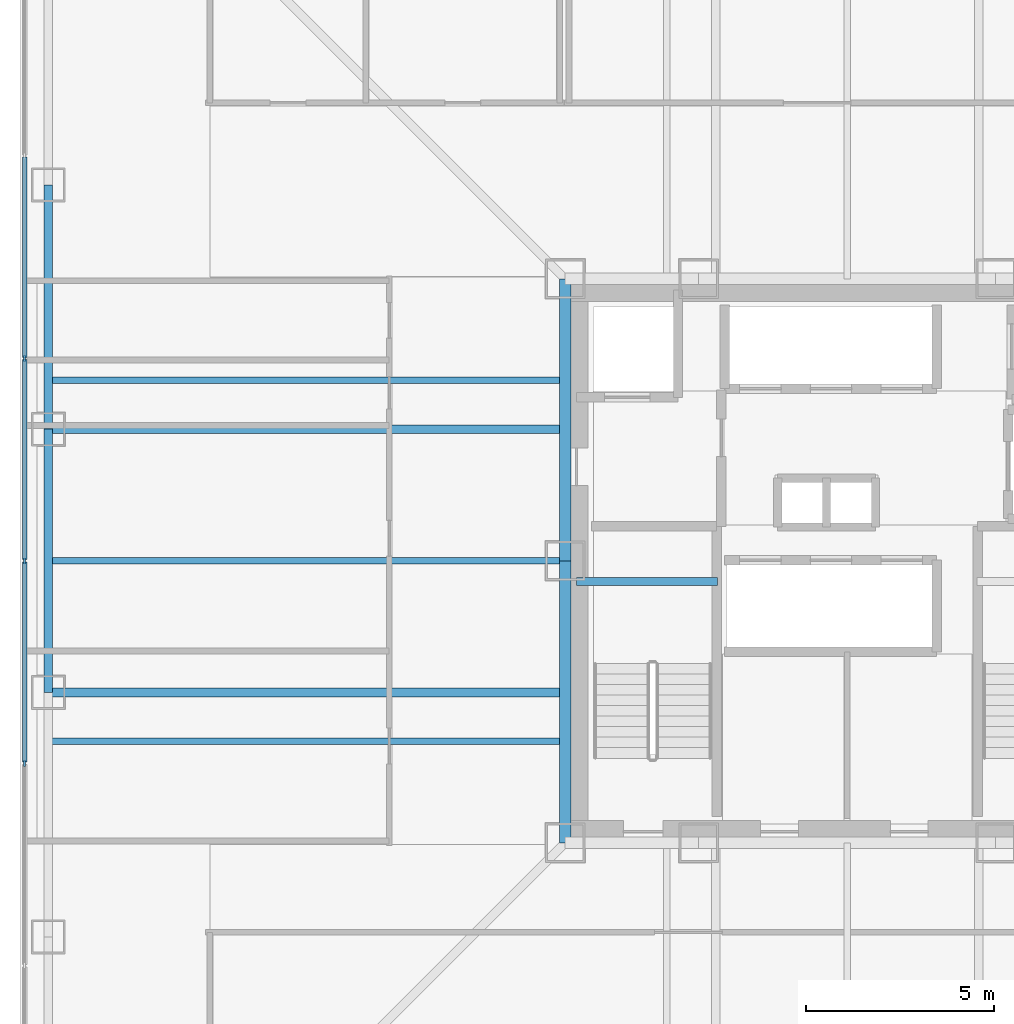
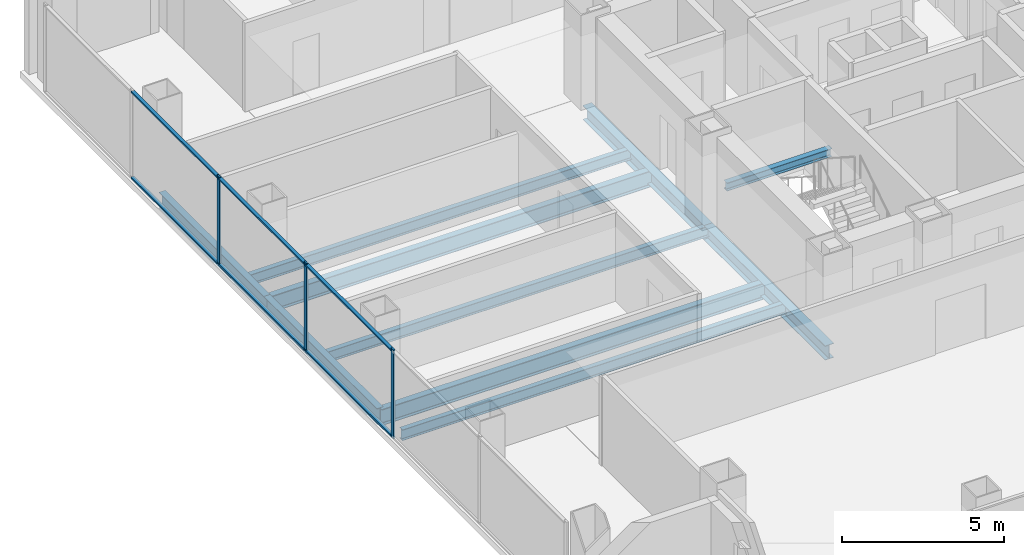
# One storey, part 4 of 14: 10 beams, 9 members, 1 element without a shape of its own.
"""IFC4 building model written with IfcOpenShell, lengths in metres."""

from ifc_helpers import new_model, si_unit, direction, frame, origin, origin_2d, place, context, subcontext, project, spatial, rectangle, i_section, extrude, material, layer, layer_set, material_profile, profile_set, type_object, element, aggregate, save


model = new_model("IFC4")

# Units and contexts
model_context = context("Model", 3, precision=1e-05, world=origin(), true_north=direction((0.0, 1.0)))
body_context = subcontext(model_context, "Body", "Model", "MODEL_VIEW")
ifc_project = project(units=[si_unit("LENGTHUNIT", "METRE"), si_unit("AREAUNIT", "SQUARE_METRE"), si_unit("VOLUMEUNIT", "CUBIC_METRE"), si_unit("PLANEANGLEUNIT", "RADIAN"), si_unit("MASSUNIT", "GRAM", prefix="KILO")], contexts=[model_context])

# Site, building, storey
site_placement = place(None, origin())
site = spatial("IfcSite", under=ifc_project, at=site_placement, CompositionType="ELEMENT")
building_placement = place(site_placement, origin())
building = spatial("IfcBuilding", under=site, at=building_placement, Name="Trevonay Congress Spire", CompositionType="ELEMENT")
storey_placement = place(building_placement, frame((0.0, 0.0, 140.800048828125)))
storey = spatial("IfcBuildingStorey", under=building, at=storey_placement, Name="L36", CompositionType="ELEMENT", Elevation=140.800048828125)

# Beams
ifc_material_1 = material(Name="Steel ASTM A572 Grade 50", Category="steel")
ifc_material_profile_1 = material_profile(ifc_material_1, i_section(OverallWidth=0.31201171875, OverallDepth=0.54296875, WebThickness=0.0126953125, FlangeThickness=0.020263671875, FilletRadius=0.014892578125, at=origin_2d()), Name="W530x150")
ifc_profile_set_1 = profile_set([ifc_material_profile_1], Name="Steel ASTM A572 Grade 50")
beam_type_1 = type_object("IfcBeamType", Name="BM-GIRD-W530X150", PredefinedType="BEAM", material=ifc_profile_set_1)
for number, where, z_axis, x_axis, name in (
    (1, (-7.5, -7.5, -0.511474609375), (0.0, 1.0, 0.0), (-1.0, 0.0, 0.0), "L36 structural beam BM-L36-CR-W1"),
    (2, (-7.5, 0.0, -0.511474609375), (0.0, 1.0, 0.0), (-1.0, 0.0, 0.0), "L36 structural beam BM-L36-CR-W2"),
):
    element("IfcBeam", number, at=place(storey_placement, frame(where, z_axis=z_axis, x_axis=x_axis)), inside=storey, type_object=beam_type_1, Name=name, PredefinedType="BEAM", context=body_context, shape_type="SweptSolid", body=[
        extrude(i_section(OverallWidth=0.31201171875, OverallDepth=0.54296875, WebThickness=0.0126953125, FlangeThickness=0.020263671875, FilletRadius=0.014892578125, at=origin_2d()), origin(), (0.0, 0.0, 1.0), 7.5),
    ])
ifc_material_profile_2 = material_profile(ifc_material_1, i_section(OverallWidth=0.22998046875, OverallDepth=0.616943359375, WebThickness=0.01318359375, FlangeThickness=0.022216796875, FilletRadius=0.01611328125, at=origin_2d()), Name="W610x140")
ifc_profile_set_2 = profile_set([ifc_material_profile_2], Name="Steel ASTM A572 Grade 50")
beam_type_2 = type_object("IfcBeamType", Name="BM-GIRD-W610X140", PredefinedType="BEAM", material=ifc_profile_set_2)
for number, where, z_axis, x_axis, name in (
    (3, (-7.5, -3.5, -0.548583984375), (-1.0, 0.0, 0.0), (0.0, -1.0, 0.0), "L36 structural beam BM-L36-GW-M"),
    (4, (-7.5, 3.5, -0.548583984375), (-1.0, 0.0, 0.0), (0.0, -1.0, 0.0), "L36 structural beam BM-L36-GW-P"),
):
    element("IfcBeam", number, at=place(storey_placement, frame(where, z_axis=z_axis, x_axis=x_axis)), inside=storey, type_object=beam_type_2, Name=name, PredefinedType="BEAM", context=body_context, shape_type="SweptSolid", body=[
        extrude(i_section(OverallWidth=0.22998046875, OverallDepth=0.616943359375, WebThickness=0.01318359375, FlangeThickness=0.022216796875, FilletRadius=0.01611328125, at=origin_2d()), origin(), (0.0, 0.0, 1.0), 13.75),
    ])
ifc_material_profile_3 = material_profile(ifc_material_1, i_section(OverallWidth=0.22802734375, OverallDepth=0.60791015625, WebThickness=0.01123046875, FlangeThickness=0.017333984375, FilletRadius=0.01611328125, at=origin_2d()), Name="W610x113")
ifc_profile_set_3 = profile_set([ifc_material_profile_3], Name="Steel ASTM A572 Grade 50")
beam_type_3 = type_object("IfcBeamType", Name="BM-RING-W610X113", PredefinedType="BEAM", material=ifc_profile_set_3)
beam_1_placement = place(storey_placement, frame((-21.25, -3.5, -0.5439453125), z_axis=(0.0, 1.0, 0.0), x_axis=(-1.0, 0.0, 0.0)))
element("IfcBeam", 5, at=beam_1_placement, inside=storey, type_object=beam_type_3, Name="L36 structural beam BM-L36-PW3", PredefinedType="BEAM", context=body_context, shape_type="SweptSolid", body=[
    extrude(i_section(OverallWidth=0.22802734375, OverallDepth=0.60791015625, WebThickness=0.01123046875, FlangeThickness=0.017333984375, FilletRadius=0.01611328125, at=origin_2d()), origin(), (0.0, 0.0, 1.0), 7.0),
])
beam_2_placement = place(storey_placement, frame((-21.25, 3.5, -0.5439453125), z_axis=(0.0, 1.0, 0.0), x_axis=(-1.0, 0.0, 0.0)))
element("IfcBeam", 6, at=beam_2_placement, inside=storey, type_object=beam_type_3, Name="L36 structural beam BM-L36-PW4", PredefinedType="BEAM", context=body_context, shape_type="SweptSolid", body=[
    extrude(i_section(OverallWidth=0.22802734375, OverallDepth=0.60791015625, WebThickness=0.01123046875, FlangeThickness=0.017333984375, FilletRadius=0.01611328125, at=origin_2d()), origin(), (0.0, 0.0, 1.0), 6.5),
])

# Curtain wall, members
ifc_material_2 = material(Name="Pale Anodised Aluminium EN AW-6063-T6", Category="aluminium")
ifc_layer = layer(ifc_material_2, 0.175048828125, Name="Pale Anodised Aluminium EN AW-6063-T6")
ifc_layer_set = layer_set([ifc_layer], Name="Pale Anodised Aluminium EN AW-6063-T6")
curtain_wall_type = type_object("IfcCurtainWallType", Name="CW-SYS03-CONGRESS-PALE-METAL", PredefinedType="NOTDEFINED", material=ifc_layer_set)
curtain_wall_placement = place(storey_placement, origin())
curtain_wall = element("IfcCurtainWall", 7, at=curtain_wall_placement, inside=storey, type_object=curtain_wall_type, Name="L36 W unitised curtain wall", PredefinedType="NOTDEFINED")
ifc_material_profile_4 = material_profile(ifc_material_2, rectangle(XDim=0.06005859375, YDim=0.159912109375, at=origin_2d()), Name="CW-MULLION-160-ALUMINIUM")
ifc_profile_set_4 = profile_set([ifc_material_profile_4], Name="Pale Anodised Aluminium EN AW-6063-T6")
member_type_1 = type_object("IfcMemberType", Name="CW-MULLION-160-ALUMINIUM", PredefinedType="MULLION", material=ifc_profile_set_4)
member_1_placement = place(storey_placement, frame((-21.8798828125, -5.38330078125, 0.0), z_axis=(0.0, 0.0, 1.0), x_axis=(-1.0, 0.0, 0.0)))
member_1 = element("IfcMember", 8, at=member_1_placement, type_object=member_type_1, Name="CW03 mullion 3", PredefinedType="MULLION", context=body_context, shape_type="SweptSolid", body=[
    extrude(rectangle(XDim=0.06005859375, YDim=0.159912109375, at=origin_2d()), origin(), (0.0, 0.0, 1.0), 3.35986328125),
])
member_2_placement = place(storey_placement, frame((-21.8798828125, 0.0, 0.0), z_axis=(0.0, 0.0, 1.0), x_axis=(-1.0, 0.0, 0.0)))
member_2 = element("IfcMember", 9, at=member_2_placement, type_object=member_type_1, Name="CW03 mullion 4", PredefinedType="MULLION", context=body_context, shape_type="SweptSolid", body=[
    extrude(rectangle(XDim=0.06005859375, YDim=0.159912109375, at=origin_2d()), origin(), (0.0, 0.0, 1.0), 3.35986328125),
])
member_3_placement = place(storey_placement, frame((-21.8798828125, 5.38330078125, 0.0), z_axis=(0.0, 0.0, 1.0), x_axis=(-1.0, 0.0, 0.0)))
member_3 = element("IfcMember", 10, at=member_3_placement, type_object=member_type_1, Name="CW03 mullion 5", PredefinedType="MULLION", context=body_context, shape_type="SweptSolid", body=[
    extrude(rectangle(XDim=0.06005859375, YDim=0.159912109375, at=origin_2d()), origin(), (0.0, 0.0, 1.0), 3.35986328125),
])
ifc_material_profile_5 = material_profile(ifc_material_2, rectangle(XDim=0.1201171875, YDim=0.06005859375, at=origin_2d()), Name="CW-TRANSOM-120-ALUMINIUM")
ifc_profile_set_5 = profile_set([ifc_material_profile_5], Name="Pale Anodised Aluminium EN AW-6063-T6")
member_type_2 = type_object("IfcMemberType", Name="CW-TRANSOM-120-ALUMINIUM", PredefinedType="USERDEFINED", material=ifc_profile_set_5)
member_4_placement = place(storey_placement, frame((-21.8798828125, -5.353271484375, 0.06005859375), z_axis=(0.0, 1.0, 0.0), x_axis=(-1.0, 0.0, 0.0)))
member_4 = element("IfcMember", 11, at=member_4_placement, type_object=member_type_2, Name="CW03 transom 3.1", ObjectType="TRANSOM", PredefinedType="USERDEFINED", context=body_context, shape_type="SweptSolid", body=[
    extrude(rectangle(XDim=0.1201171875, YDim=0.06005859375, at=origin_2d()), origin(), (0.0, 0.0, 1.0), 5.3232421875),
])
member_5_placement = place(storey_placement, frame((-21.8798828125, -5.353271484375, 3.300048828125), z_axis=(0.0, 1.0, 0.0), x_axis=(-1.0, 0.0, 0.0)))
member_5 = element("IfcMember", 12, at=member_5_placement, type_object=member_type_2, Name="CW03 transom 3.2", ObjectType="TRANSOM", PredefinedType="USERDEFINED", context=body_context, shape_type="SweptSolid", body=[
    extrude(rectangle(XDim=0.1201171875, YDim=0.06005859375, at=origin_2d()), origin(), (0.0, 0.0, 1.0), 5.3232421875),
])
member_6_placement = place(storey_placement, frame((-21.8798828125, 0.030029296875, 0.06005859375), z_axis=(0.0, 1.0, 0.0), x_axis=(-1.0, 0.0, 0.0)))
member_6 = element("IfcMember", 13, at=member_6_placement, type_object=member_type_2, Name="CW03 transom 4.1", ObjectType="TRANSOM", PredefinedType="USERDEFINED", context=body_context, shape_type="SweptSolid", body=[
    extrude(rectangle(XDim=0.1201171875, YDim=0.06005859375, at=origin_2d()), origin(), (0.0, 0.0, 1.0), 5.3232421875),
])
member_7_placement = place(storey_placement, frame((-21.8798828125, 0.030029296875, 3.300048828125), z_axis=(0.0, 1.0, 0.0), x_axis=(-1.0, 0.0, 0.0)))
member_7 = element("IfcMember", 14, at=member_7_placement, type_object=member_type_2, Name="CW03 transom 4.2", ObjectType="TRANSOM", PredefinedType="USERDEFINED", context=body_context, shape_type="SweptSolid", body=[
    extrude(rectangle(XDim=0.1201171875, YDim=0.06005859375, at=origin_2d()), origin(), (0.0, 0.0, 1.0), 5.3232421875),
])
member_8_placement = place(storey_placement, frame((-21.8798828125, 5.413330078125, 0.06005859375), z_axis=(0.0, 1.0, 0.0), x_axis=(-1.0, 0.0, 0.0)))
member_8 = element("IfcMember", 15, at=member_8_placement, type_object=member_type_2, Name="CW03 transom 5.1", ObjectType="TRANSOM", PredefinedType="USERDEFINED", context=body_context, shape_type="SweptSolid", body=[
    extrude(rectangle(XDim=0.1201171875, YDim=0.06005859375, at=origin_2d()), origin(), (0.0, 0.0, 1.0), 5.3232421875),
])
member_9_placement = place(storey_placement, frame((-21.8798828125, 5.413330078125, 3.300048828125), z_axis=(0.0, 1.0, 0.0), x_axis=(-1.0, 0.0, 0.0)))
member_9 = element("IfcMember", 16, at=member_9_placement, type_object=member_type_2, Name="CW03 transom 5.2", ObjectType="TRANSOM", PredefinedType="USERDEFINED", context=body_context, shape_type="SweptSolid", body=[
    extrude(rectangle(XDim=0.1201171875, YDim=0.06005859375, at=origin_2d()), origin(), (0.0, 0.0, 1.0), 5.3232421875),
])
aggregate(curtain_wall, [member_1, member_2, member_3, member_4, member_5, member_6, member_7, member_8, member_9])

# Beams
ifc_material_profile_6 = material_profile(ifc_material_1, i_section(OverallWidth=0.177978515625, OverallDepth=0.406982421875, WebThickness=0.0078125, FlangeThickness=0.0126953125, FilletRadius=0.012939453125, at=origin_2d()), Name="W410x60")
ifc_profile_set_6 = profile_set([ifc_material_profile_6], Name="Steel ASTM A572 Grade 50")
beam_type_4 = type_object("IfcBeamType", Name="JS-COMP-W410X60", PredefinedType="JOIST", material=ifc_profile_set_6)
for number, where, z_axis, x_axis, name in (
    (17, (-21.25, -4.800048828125, -0.443603515625), (1.0, 0.0, 0.0), (0.0, 1.0, 0.0), "L36 structural beam JS-L36-EW-W1"),
    (18, (-21.25, 0.0, -0.443603515625), (1.0, 0.0, 0.0), (0.0, 1.0, 0.0), "L36 structural beam JS-L36-EW-W2"),
    (19, (-21.25, 4.800048828125, -0.443603515625), (1.0, 0.0, 0.0), (0.0, 1.0, 0.0), "L36 structural beam JS-L36-EW-W3"),
):
    element("IfcBeam", number, at=place(storey_placement, frame(where, z_axis=z_axis, x_axis=x_axis)), inside=storey, type_object=beam_type_4, Name=name, PredefinedType="JOIST", context=body_context, shape_type="SweptSolid", body=[
        extrude(i_section(OverallWidth=0.177978515625, OverallDepth=0.406982421875, WebThickness=0.0078125, FlangeThickness=0.0126953125, FilletRadius=0.012939453125, at=origin_2d()), origin(), (0.0, 0.0, 1.0), 13.75),
    ])
ifc_material_profile_7 = material_profile(ifc_material_1, i_section(OverallWidth=0.2041015625, OverallDepth=0.305908203125, WebThickness=0.008544921875, FlangeThickness=0.0146484375, FilletRadius=0.010986328125, at=origin_2d()), Name="W310x67")
ifc_profile_set_7 = profile_set([ifc_material_profile_7], Name="Steel ASTM A572 Grade 50")
beam_type_5 = type_object("IfcBeamType", Name="LN-CORE-W310X67", PredefinedType="LINTEL", material=ifc_profile_set_7)
beam_3_placement = place(storey_placement, frame((-7.199951171875, -0.550048828125, 1.447021484375), z_axis=(1.0, 0.0, 0.0), x_axis=(0.0, 1.0, 0.0)))
element("IfcBeam", 20, at=beam_3_placement, inside=storey, type_object=beam_type_5, Name="L36 structural beam BM-L36-HL-ST1", PredefinedType="LINTEL", context=body_context, shape_type="SweptSolid", body=[
    extrude(i_section(OverallWidth=0.2041015625, OverallDepth=0.305908203125, WebThickness=0.008544921875, FlangeThickness=0.0146484375, FilletRadius=0.010986328125, at=origin_2d()), origin(), (0.0, 0.0, 1.0), 3.75),
])

save(model, "model.ifc")
